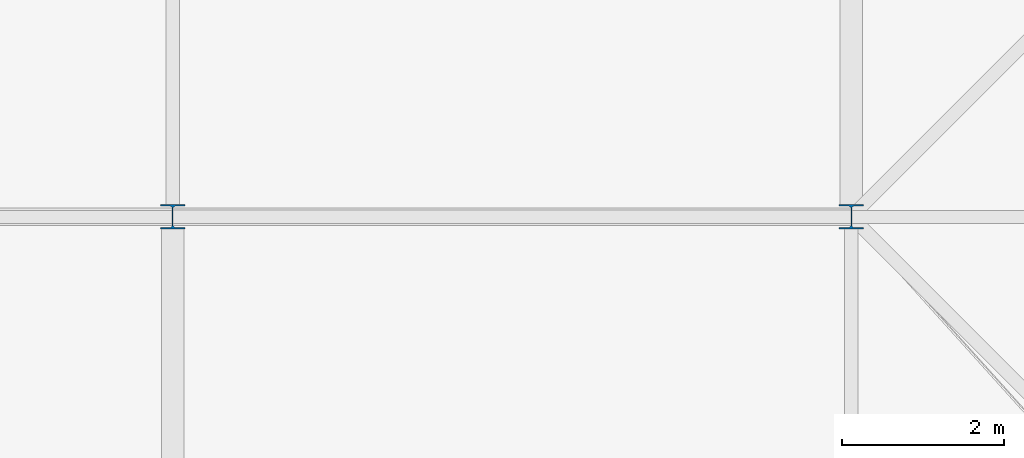
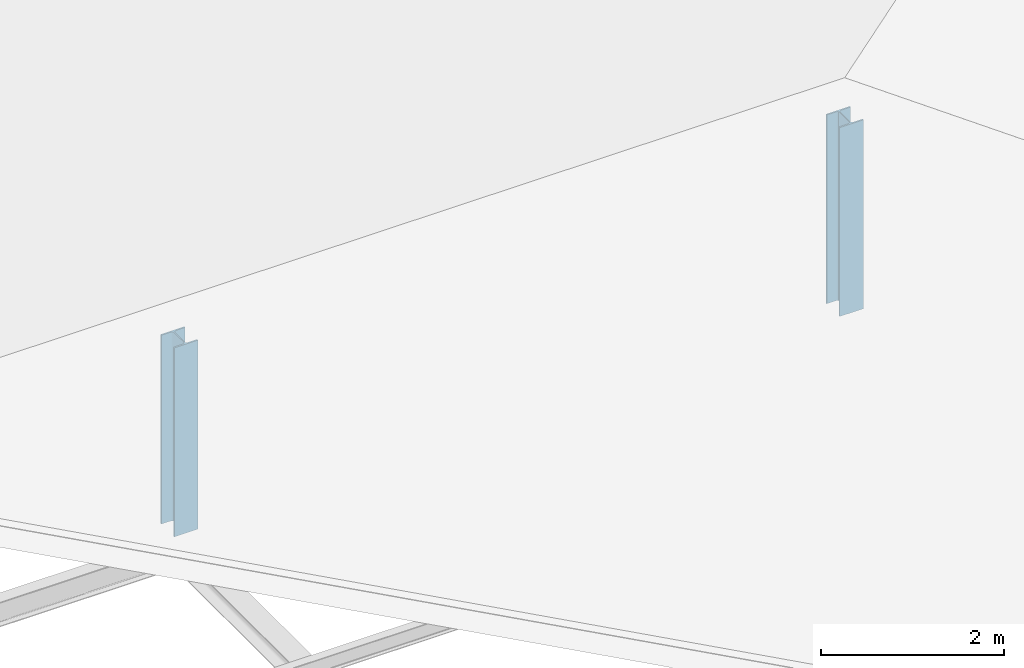
# One storey, part 2 of 5: 2 columns.
"""IFC4 building model written with IfcOpenShell, lengths in metres."""

from ifc_helpers import new_model, si_unit, direction, frame, origin, origin_2d, place, context, subcontext, project, spatial, i_section, extrude, material, material_profile, profile_set, type_object, element, save


model = new_model("IFC4")

# Units and contexts
model_context = context("Model", 3, precision=1e-05, world=origin(), true_north=direction((0.0, 1.0)))
body_context = subcontext(model_context, "Body", "Model", "MODEL_VIEW")
ifc_project = project(units=[si_unit("LENGTHUNIT", "METRE"), si_unit("AREAUNIT", "SQUARE_METRE"), si_unit("VOLUMEUNIT", "CUBIC_METRE"), si_unit("PLANEANGLEUNIT", "RADIAN"), si_unit("MASSUNIT", "GRAM", prefix="KILO")], contexts=[model_context])

# Site, building, storey
site_placement = place(None, origin())
site = spatial("IfcSite", under=ifc_project, at=site_placement, CompositionType="ELEMENT")
building_placement = place(site_placement, origin())
building = spatial("IfcBuilding", under=site, at=building_placement, Name="Mersafa Astral City Hall", CompositionType="ELEMENT")
storey_placement = place(building_placement, frame((0.0, 0.0, 34.35009765625)))
storey = spatial("IfcBuildingStorey", under=building, at=storey_placement, Name="RF", CompositionType="ELEMENT", Elevation=34.35009765625)

# Columns
ifc_material = material(Name="Steel S355", Category="steel")
ifc_material_profile = material_profile(ifc_material, i_section(OverallWidth=0.300048828125, OverallDepth=0.300048828125, WebThickness=0.010986328125, FlangeThickness=0.01904296875, FilletRadius=0.027099609375, at=origin_2d()), Name="HEB 300")
ifc_profile_set = profile_set([ifc_material_profile], Name="Steel S355")
column_type = type_object("IfcColumnType", Name="STR-COL-HEB300", PredefinedType="COLUMN", material=ifc_profile_set)
for number, where, z_axis, x_axis, name in (
    (1, (168.0, 117.60009765625, 0.0), (0.0, 0.0, 1.0), (1.0, 0.0, 0.0), "RF Roof ridge king-post column ROOF-T6-V6-7"),
    (2, (176.39990234375, 117.60009765625, 0.0), (0.0, 0.0, 1.0), (1.0, 0.0, 0.0), "RF Roof ridge king-post column ROOF-T6-V6-8"),
):
    element("IfcColumn", number, at=place(storey_placement, frame(where, z_axis=z_axis, x_axis=x_axis)), inside=storey, type_object=column_type, Name=name, PredefinedType="COLUMN", context=body_context, shape_type="SweptSolid", body=[
        extrude(i_section(OverallWidth=0.300048828125, OverallDepth=0.300048828125, WebThickness=0.010986328125, FlangeThickness=0.01904296875, FilletRadius=0.027099609375, at=origin_2d()), origin(), (0.0, 0.0, 1.0), 2.521728515625),
    ])

save(model, "model.ifc")
